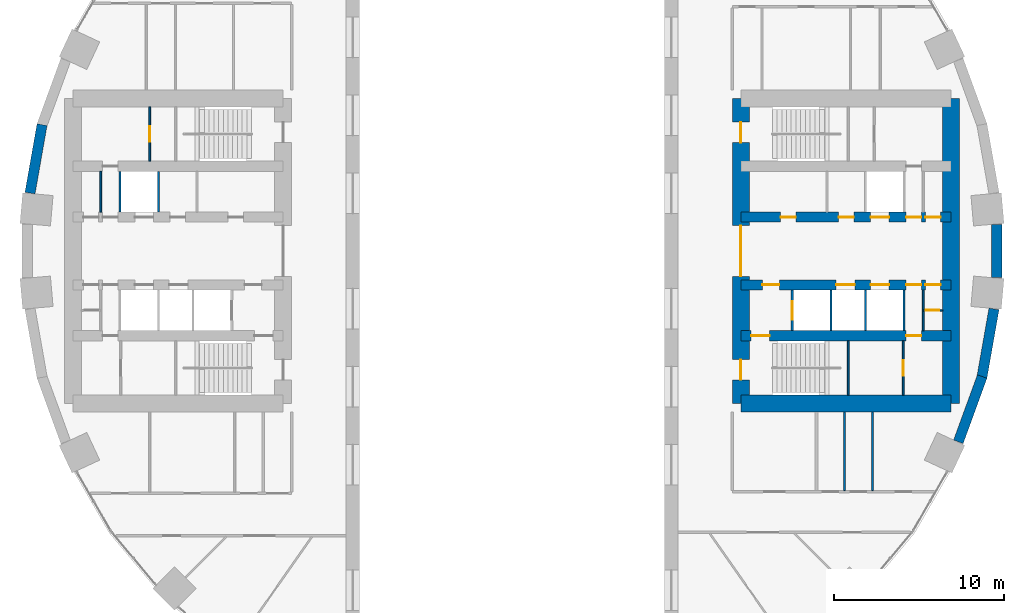
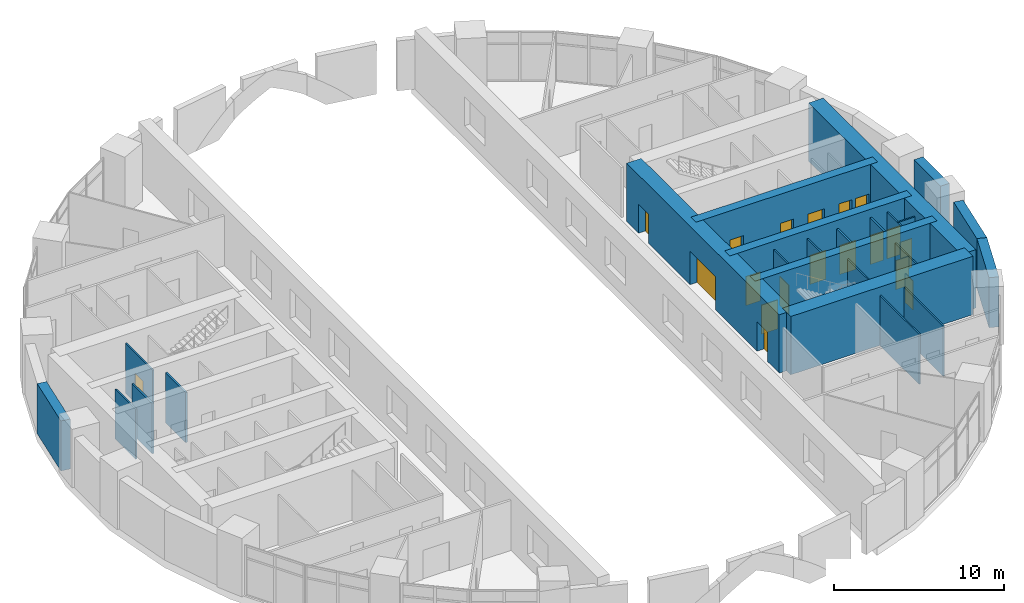
# One storey, part 12 of 15: 24 walls, 19 doors, 19 openings.
"""IFC4 building model written with IfcOpenShell, lengths in metres."""

from ifc_helpers import new_model, si_unit, direction, frame, frame_2d, origin, place, context, subcontext, project, spatial, rectangle, extrude, material, layer, layer_set, type_object, element, fill, save


model = new_model("IFC4")

# Units and contexts
model_context = context("Model", 3, precision=1e-05, world=origin(), true_north=direction((0.0, 1.0)))
body_context = subcontext(model_context, "Body", "Model", "MODEL_VIEW")
ifc_project = project(units=[si_unit("LENGTHUNIT", "METRE"), si_unit("AREAUNIT", "SQUARE_METRE"), si_unit("VOLUMEUNIT", "CUBIC_METRE"), si_unit("PLANEANGLEUNIT", "RADIAN"), si_unit("MASSUNIT", "GRAM", prefix="KILO")], contexts=[model_context])

# Site, building, storey
site_placement = place(None, origin())
site = spatial("IfcSite", under=ifc_project, at=site_placement, CompositionType="ELEMENT")
building_placement = place(site_placement, origin())
building = spatial("IfcBuilding", under=site, at=building_placement, Name="Saqina Gate Tower", CompositionType="ELEMENT")
storey_placement = place(building_placement, frame((0.0, 0.0, 17.60009765625)))
storey = spatial("IfcBuildingStorey", under=building, at=storey_placement, Name="L04", CompositionType="ELEMENT", Elevation=17.60009765625)

# Wall
ifc_material_1 = material(Name="Gypsum board on steel studs", Category="steel")
ifc_layer_1 = layer(ifc_material_1, 0.10009765625)
ifc_layer_set_1 = layer_set([ifc_layer_1], Name="CORE PARTITION")
wall_type_1 = type_object("IfcWallType", Name="CORE PARTITION", PredefinedType="PARTITIONING", material=ifc_layer_set_1)
wall_1_placement = place(storey_placement, frame((24.260009765625, -4.699951171875, 0.0), z_axis=(0.0, 0.0, 1.0), x_axis=(0.0, 1.0, 0.0)))
element("IfcWall", 1, at=wall_1_placement, inside=storey, type_object=wall_type_1, Name="L04-CP-E09", PredefinedType="PARTITIONING", context=body_context, shape_type="SweptSolid", body=[
    extrude(rectangle(XDim=2.39990234375, YDim=0.10009765625, at=frame_2d((1.199951171875, 0.0))), origin(), (0.0, 0.0, 1.0), 3.599853515625),
])

# Wall, opening, door
wall_2_placement = place(storey_placement, frame((24.260009765625, -3.5, 0.0), z_axis=(0.0, 0.0, 1.0), x_axis=(1.0, 0.0, 0.0)))
wall_2 = element("IfcWall", 2, at=wall_2_placement, inside=storey, type_object=wall_type_1, Name="L04-CP-E10", PredefinedType="PARTITIONING", context=body_context, shape_type="SweptSolid", body=[
    extrude(rectangle(XDim=1.139892578125, YDim=0.10009765625, at=frame_2d((0.56982421875, 0.0))), origin(), (0.0, 0.0, 1.0), 3.599853515625),
])
opening_1_placement = place(wall_2_placement, frame((0.14990234375, 0.0, 0.0)))
opening_1 = element("IfcOpeningElement", 3, at=opening_1_placement, cuts=wall_2, Name="Opening L04-D99", PredefinedType="OPENING", context=body_context, shape_type="SweptSolid", body=[
    extrude(rectangle(XDim=0.800048828125, YDim=2.10009765625, at=frame_2d((0.39990234375, 1.050048828125))), frame((0.0, 0.06201171875, 0.0), z_axis=(0.0, -1.0, 0.0), x_axis=(1.0, 0.0, 0.0)), (0.0, 0.0, 1.0), 0.1240234375),
])
ifc_material_2 = material(Name="Steel-framed fire door leaf, EI 60", Category="steel")
door_type_1 = type_object("IfcDoorType", Name="SERVICE ROOM DOOR 800", OperationType="SINGLE_SWING_LEFT", PredefinedType="DOOR", material=ifc_material_2)
door_1_placement = place(opening_1_placement, frame((0.800048828125, 0.0, 0.0), z_axis=(0.0, 0.0, 1.0), x_axis=(-1.0, 0.0, 0.0)))
door_1 = element("IfcDoor", 4, at=door_1_placement, inside=storey, type_object=door_type_1, Name="L04-CD-E10", OperationType="SINGLE_SWING_LEFT", OverallHeight=2.10009765625, OverallWidth=0.800048828125, PredefinedType="DOOR", context=body_context, shape_type="SweptSolid", body=[
    extrude(rectangle(XDim=0.800048828125, YDim=2.10009765625, at=frame_2d((0.39990234375, 1.050048828125))), frame((0.0, 0.02490234375, 0.0), z_axis=(0.0, -1.0, 0.0), x_axis=(1.0, 0.0, 0.0)), (0.0, 0.0, 1.0), 0.050048828125),
])
fill(opening_1, door_1)

wall_3_placement = place(storey_placement, frame((23.08154296875, -8.5, 0.0), z_axis=(0.0, 0.0, 1.0), x_axis=(0.0, 1.0, 0.0)))
wall_3 = element("IfcWall", 5, at=wall_3_placement, inside=storey, type_object=wall_type_1, Name="L04-CP-E14", PredefinedType="PARTITIONING", context=body_context, shape_type="SweptSolid", body=[
    extrude(rectangle(XDim=3.199951171875, YDim=0.10009765625, at=frame_2d((1.60009765625, 0.0))), origin(), (0.0, 0.0, 1.0), 3.599853515625),
])
opening_2_placement = place(wall_3_placement, frame((1.14990234375, 0.0, 0.0)))
opening_2 = element("IfcOpeningElement", 6, at=opening_2_placement, cuts=wall_3, Name="Opening L04-D100", PredefinedType="OPENING", context=body_context, shape_type="SweptSolid", body=[
    extrude(rectangle(XDim=0.89990234375, YDim=2.10009765625, at=frame_2d((0.449951171875, 1.050048828125))), frame((0.0, 0.06201171875, 0.0), z_axis=(0.0, -1.0, 0.0), x_axis=(1.0, 0.0, 0.0)), (0.0, 0.0, 1.0), 0.1240234375),
])
ifc_material_3 = material(Name="Steel-framed fire door leaf, EI 60", Category="steel")
door_type_2 = type_object("IfcDoorType", Name="SERVICE ROOM DOOR 900", OperationType="SINGLE_SWING_LEFT", PredefinedType="DOOR", material=ifc_material_3)
door_2_placement = place(opening_2_placement, origin())
door_2 = element("IfcDoor", 7, at=door_2_placement, inside=storey, type_object=door_type_2, Name="L04-CD-E11", OperationType="SINGLE_SWING_LEFT", OverallHeight=2.10009765625, OverallWidth=0.89990234375, PredefinedType="DOOR", context=body_context, shape_type="SweptSolid", body=[
    extrude(rectangle(XDim=0.89990234375, YDim=2.10009765625, at=frame_2d((0.449951171875, 1.050048828125))), frame((0.0, 0.02490234375, 0.0), z_axis=(0.0, -1.0, 0.0), x_axis=(1.0, 0.0, 0.0)), (0.0, 0.0, 1.0), 0.050048828125),
])
fill(opening_2, door_2)

# Wall
wall_4_placement = place(storey_placement, frame((-24.260009765625, 2.300048828125, 0.0), z_axis=(0.0, 0.0, 1.0), x_axis=(0.0, 1.0, 0.0)))
element("IfcWall", 8, at=wall_4_placement, inside=storey, type_object=wall_type_1, Name="L04-CP-W04", PredefinedType="PARTITIONING", context=body_context, shape_type="SweptSolid", body=[
    extrude(rectangle(XDim=2.39990234375, YDim=0.10009765625, at=frame_2d((1.199951171875, 0.0))), origin(), (0.0, 0.0, 1.0), 3.599853515625),
])

# Wall, opening, door
wall_5_placement = place(storey_placement, frame((-21.370361328125, 5.300048828125, 0.0), z_axis=(0.0, 0.0, 1.0), x_axis=(0.0, 1.0, 0.0)))
wall_5 = element("IfcWall", 9, at=wall_5_placement, inside=storey, type_object=wall_type_1, Name="L04-CP-W12", PredefinedType="PARTITIONING", context=body_context, shape_type="SweptSolid", body=[
    extrude(rectangle(XDim=3.199951171875, YDim=0.10009765625, at=frame_2d((1.60009765625, 0.0))), origin(), (0.0, 0.0, 1.0), 3.599853515625),
])
opening_3_placement = place(wall_5_placement, frame((1.14990234375, 0.0, 0.0)))
opening_3 = element("IfcOpeningElement", 10, at=opening_3_placement, cuts=wall_5, Name="Opening L04-D113", PredefinedType="OPENING", context=body_context, shape_type="SweptSolid", body=[
    extrude(rectangle(XDim=0.89990234375, YDim=2.10009765625, at=frame_2d((0.449951171875, 1.050048828125))), frame((0.0, 0.06201171875, 0.0), z_axis=(0.0, -1.0, 0.0), x_axis=(1.0, 0.0, 0.0)), (0.0, 0.0, 1.0), 0.1240234375),
])
door_3_placement = place(opening_3_placement, origin())
door_3 = element("IfcDoor", 11, at=door_3_placement, inside=storey, type_object=door_type_2, Name="L04-CD-W24", OperationType="SINGLE_SWING_LEFT", OverallHeight=2.10009765625, OverallWidth=0.89990234375, PredefinedType="DOOR", context=body_context, shape_type="SweptSolid", body=[
    extrude(rectangle(XDim=0.89990234375, YDim=2.10009765625, at=frame_2d((0.449951171875, 1.050048828125))), frame((0.0, 0.02490234375, 0.0), z_axis=(0.0, -1.0, 0.0), x_axis=(1.0, 0.0, 0.0)), (0.0, 0.0, 1.0), 0.050048828125),
])
fill(opening_3, door_3)

# Walls
ifc_material_4 = material(Name="Glazed ceramic tile", Category="ceramic")
ifc_layer_2 = layer(ifc_material_4, 0.60009765625)
ifc_layer_set_2 = layer_set([ifc_layer_2], Name="FW-TILE")
wall_type_2 = type_object("IfcWallType", Name="FW-TILE", PredefinedType="SOLIDWALL", material=ifc_layer_set_2)
for number, where, z_axis, x_axis, name in (
    (12, (-27.71630859375, 7.45361328125, 0.0), (0.0, 0.0, 1.0), (-0.173673210505, -0.984803338719, 0.0), "Facade wall L04 facet 17"),
    (13, (27.71630859375, -7.45361328125, 0.0), (0.0, 0.0, 1.0), (0.173673210505, 0.984803338719, 0.0), "Facade wall L04 facet 35"),
):
    element("IfcWall", number, at=place(storey_placement, frame(where, z_axis=z_axis, x_axis=x_axis)), inside=storey, type_object=wall_type_2, Name=name, PredefinedType="SOLIDWALL", context=body_context, shape_type="SweptSolid", body=[
        extrude(rectangle(XDim=4.09912109375, YDim=0.60009765625, at=frame_2d((2.049560546875, 0.0))), origin(), (0.0, 0.0, 1.0), 3.599853515625),
    ])
ifc_material_5 = material(Name="Glazed ceramic tile (dark blue)", Category="ceramic")
ifc_layer_3 = layer(ifc_material_5, 0.60009765625)
ifc_layer_set_3 = layer_set([ifc_layer_3], Name="FW-TILE-CB")
wall_type_3 = type_object("IfcWallType", Name="FW-TILE-CB", PredefinedType="SOLIDWALL", material=ifc_layer_set_3)
wall_6_placement = place(storey_placement, frame((26.327880859375, -11.255126953125, 0.0), z_axis=(0.0, 0.0, 1.0), x_axis=(0.342034744565, 0.939687306241, 0.0)))
element("IfcWall", 14, at=wall_6_placement, inside=storey, type_object=wall_type_3, Name="Facade wall L04 facet 34", PredefinedType="SOLIDWALL", context=body_context, shape_type="SweptSolid", body=[
    extrude(rectangle(XDim=4.099365234375, YDim=0.60009765625, at=frame_2d((2.0498046875, 0.0))), origin(), (0.0, 0.0, 1.0), 3.599853515625),
])
ifc_material_6 = material(Name="Glazed ceramic tile (white)", Category="ceramic")
ifc_layer_4 = layer(ifc_material_6, 0.60009765625)
ifc_layer_set_4 = layer_set([ifc_layer_4], Name="FW-TILE-WH")
wall_type_4 = type_object("IfcWallType", Name="FW-TILE-WH", PredefinedType="SOLIDWALL", material=ifc_layer_set_4)
wall_7_placement = place(storey_placement, frame((28.589599609375, -1.571533203125, 0.0), z_axis=(0.0, 0.0, 1.0), x_axis=(0.0, 1.0, 0.0)))
element("IfcWall", 15, at=wall_7_placement, inside=storey, type_object=wall_type_4, Name="Facade wall L04 facet 36", PredefinedType="SOLIDWALL", context=body_context, shape_type="SweptSolid", body=[
    extrude(rectangle(XDim=3.14306640625, YDim=0.60009765625, at=frame_2d((1.571533203125, 0.0))), origin(), (0.0, 0.0, 1.0), 3.599853515625),
])

# Wall, opening, door
ifc_material_7 = material(Name="Autoclaved aerated concrete block", Category="concrete")
ifc_layer_5 = layer(ifc_material_7, 0.1201171875)
ifc_layer_set_5 = layer_set([ifc_layer_5], Name="SHAFT PARTITION")
wall_type_5 = type_object("IfcWallType", Name="SHAFT PARTITION", PredefinedType="PARTITIONING", material=ifc_layer_set_5)
wall_8_placement = place(storey_placement, frame((16.530029296875, -4.699951171875, 0.0), z_axis=(0.0, 0.0, 1.0), x_axis=(0.0, 1.0, 0.0)))
wall_8 = element("IfcWall", 16, at=wall_8_placement, inside=storey, type_object=wall_type_5, Name="L04-CP-E05", PredefinedType="PARTITIONING", context=body_context, shape_type="SweptSolid", body=[
    extrude(rectangle(XDim=2.39990234375, YDim=0.1201171875, at=frame_2d((1.199951171875, 0.0))), origin(), (0.0, 0.0, 1.0), 3.599853515625),
])
opening_4_placement = place(wall_8_placement, frame((0.64990234375, 0.0, 0.0)))
opening_4 = element("IfcOpeningElement", 17, at=opening_4_placement, cuts=wall_8, Name="Opening L04-LD2", PredefinedType="OPENING", context=body_context, shape_type="SweptSolid", body=[
    extrude(rectangle(XDim=1.10009765625, YDim=2.10009765625, at=frame_2d((0.550048828125, 1.050048828125))), frame((0.0, 0.072021484375, 0.0), z_axis=(0.0, -1.0, 0.0), x_axis=(1.0, 0.0, 0.0)), (0.0, 0.0, 1.0), 0.14404296875),
])
ifc_material_8 = material(Name="Stainless steel", Category="steel")
door_type_3 = type_object("IfcDoorType", Name="LANDING DOOR", OperationType="DOUBLE_DOOR_SLIDING", PredefinedType="DOOR", material=ifc_material_8)
door_4_placement = place(opening_4_placement, origin())
door_4 = element("IfcDoor", 18, at=door_4_placement, inside=storey, type_object=door_type_3, Name="LANDING DOOR FF1", OperationType="DOUBLE_DOOR_SLIDING", OverallHeight=2.10009765625, OverallWidth=1.10009765625, PredefinedType="DOOR", context=body_context, shape_type="SweptSolid", body=[
    extrude(rectangle(XDim=1.10009765625, YDim=2.10009765625, at=frame_2d((0.550048828125, 1.050048828125))), frame((0.0, 0.02490234375, 0.0), z_axis=(0.0, -1.0, 0.0), x_axis=(1.0, 0.0, 0.0)), (0.0, 0.0, 1.0), 0.050048828125),
])
fill(opening_4, door_4)

# Walls
for number, where, z_axis, x_axis, name in (
    (19, (18.81005859375, -4.699951171875, 0.0), (0.0, 0.0, 1.0), (0.0, 1.0, 0.0), "L04-CP-E06"),
    (20, (20.840087890625, -4.699951171875, 0.0), (0.0, 0.0, 1.0), (0.0, 1.0, 0.0), "L04-CP-E07"),
    (21, (23.1201171875, -4.699951171875, 0.0), (0.0, 0.0, 1.0), (0.0, 1.0, 0.0), "L04-CP-E08"),
    (22, (-20.840087890625, 2.300048828125, 0.0), (0.0, 0.0, 1.0), (0.0, 1.0, 0.0), "L04-CP-W02"),
    (23, (-23.1201171875, 2.300048828125, 0.0), (0.0, 0.0, 1.0), (0.0, 1.0, 0.0), "L04-CP-W03"),
):
    element("IfcWall", number, at=place(storey_placement, frame(where, z_axis=z_axis, x_axis=x_axis)), inside=storey, type_object=wall_type_5, Name=name, PredefinedType="PARTITIONING", context=body_context, shape_type="SweptSolid", body=[
        extrude(rectangle(XDim=2.39990234375, YDim=0.1201171875, at=frame_2d((1.199951171875, 0.0))), origin(), (0.0, 0.0, 1.0), 3.599853515625),
    ])
ifc_material_9 = material(Name="Gypsum board on steel studs, 100 mm", Category="steel")
ifc_layer_6 = layer(ifc_material_9, 0.10009765625)
ifc_layer_set_6 = layer_set([ifc_layer_6], Name="SPECIAL PARTITION 100")
wall_type_6 = type_object("IfcWallType", Name="SPECIAL PARTITION 100", PredefinedType="PARTITIONING", material=ifc_layer_set_6)
for number, where, z_axis, x_axis, name in (
    (24, (21.263916015625, -14.125, 0.0), (0.0, 0.0, 1.0), (0.0, 1.0, 0.0), "PARTITION 018"),
    (25, (19.611083984375, -14.125, 0.0), (0.0, 0.0, 1.0), (0.0, 1.0, 0.0), "PARTITION 020"),
):
    element("IfcWall", number, at=place(storey_placement, frame(where, z_axis=z_axis, x_axis=x_axis)), inside=storey, type_object=wall_type_6, Name=name, PredefinedType="PARTITIONING", context=body_context, shape_type="SweptSolid", body=[
        extrude(rectangle(XDim=4.625, YDim=0.10009765625, at=frame_2d((2.3125, 0.0))), origin(), (0.0, 0.0, 1.0), 3.599853515625),
    ])
ifc_material_10 = material(Name="Autoclaved aerated concrete block", Category="concrete")
ifc_layer_7 = layer(ifc_material_10, 0.10009765625)
ifc_layer_set_7 = layer_set([ifc_layer_7], Name="STAIR ENCLOSURE WALL")
wall_type_7 = type_object("IfcWallType", Name="STAIR ENCLOSURE WALL", PredefinedType="PARTITIONING", material=ifc_layer_set_7)
wall_9_placement = place(storey_placement, frame((19.830078125, -8.5, 0.0), z_axis=(0.0, 0.0, 1.0), x_axis=(0.0, 1.0, 0.0)))
element("IfcWall", 26, at=wall_9_placement, inside=storey, type_object=wall_type_7, Name="L04-CP-E13", PredefinedType="PARTITIONING", context=body_context, shape_type="SweptSolid", body=[
    extrude(rectangle(XDim=3.199951171875, YDim=0.10009765625, at=frame_2d((1.60009765625, 0.0))), origin(), (0.0, 0.0, 1.0), 3.599853515625),
])

# Wall, openings, doors
ifc_material_11 = material(Name="Concrete C70/85", Category="concrete")
ifc_layer_8 = layer(ifc_material_11, 0.60009765625)
ifc_layer_set_8 = layer_set([ifc_layer_8], Name="Concrete C70/85")
wall_type_8 = type_object("IfcWallType", Name="STR-CORE WALL-P-I", PredefinedType="SHEAR", material=ifc_layer_set_8)
wall_10_placement = place(storey_placement, frame((13.5, -5.0, 0.0), z_axis=(0.0, 0.0, 1.0), x_axis=(1.0, 0.0, 0.0)))
wall_10 = element("IfcWall", 27, at=wall_10_placement, inside=storey, type_object=wall_type_8, Name="CORE WALL L04 E-X2", PredefinedType="SHEAR", context=body_context, shape_type="SweptSolid", body=[
    extrude(rectangle(XDim=12.39990234375, YDim=0.60009765625, at=frame_2d((6.199951171875, 0.0))), origin(), (0.0, 0.0, 1.0), 4.199951171875),
])
opening_5_placement = place(wall_10_placement, frame((9.739990234375, 0.0, 0.0)))
opening_5 = element("IfcOpeningElement", 28, at=opening_5_placement, cuts=wall_10, Name="Opening L04-D101", PredefinedType="OPENING", context=body_context, shape_type="SweptSolid", body=[
    extrude(rectangle(XDim=0.89990234375, YDim=2.10009765625, at=frame_2d((0.449951171875, 1.050048828125))), frame((0.0, 0.31201171875, 0.0), z_axis=(0.0, -1.0, 0.0), x_axis=(1.0, 0.0, 0.0)), (0.0, 0.0, 1.0), 0.6240234375),
])
opening_6_placement = place(wall_10_placement, frame((0.60009765625, 0.0, 0.0)))
opening_6 = element("IfcOpeningElement", 29, at=opening_6_placement, cuts=wall_10, Name="Opening L04-D102", PredefinedType="OPENING", context=body_context, shape_type="SweptSolid", body=[
    extrude(rectangle(XDim=1.10009765625, YDim=2.10009765625, at=frame_2d((0.550048828125, 1.050048828125))), frame((0.0, 0.31201171875, 0.0), z_axis=(0.0, -1.0, 0.0), x_axis=(1.0, 0.0, 0.0)), (0.0, 0.0, 1.0), 0.6240234375),
])
ifc_material_12 = material(Name="Steel", Category="steel")
door_type_4 = type_object("IfcDoorType", Name="FIRE LOBBY DOOR EI 60 WIDE", OperationType="SINGLE_SWING_LEFT", PredefinedType="DOOR", material=ifc_material_12)
door_5_placement = place(opening_6_placement, frame((1.10009765625, 0.0, 0.0), z_axis=(0.0, 0.0, 1.0), x_axis=(-1.0, 0.0, 0.0)))
door_5 = element("IfcDoor", 30, at=door_5_placement, inside=storey, type_object=door_type_4, Name="L04-CD-E13", OperationType="SINGLE_SWING_RIGHT", OverallHeight=2.10009765625, OverallWidth=1.10009765625, PredefinedType="DOOR", context=body_context, shape_type="SweptSolid", body=[
    extrude(rectangle(XDim=1.10009765625, YDim=2.10009765625, at=frame_2d((0.550048828125, 1.050048828125))), frame((0.0, 0.02490234375, 0.0), z_axis=(0.0, -1.0, 0.0), x_axis=(1.0, 0.0, 0.0)), (0.0, 0.0, 1.0), 0.050048828125),
])
fill(opening_6, door_5)
door_6_placement = place(opening_5_placement, frame((0.89990234375, 0.0, 0.0), z_axis=(0.0, 0.0, 1.0), x_axis=(-1.0, 0.0, 0.0)))
door_6 = element("IfcDoor", 31, at=door_6_placement, inside=storey, type_object=door_type_2, Name="L04-CD-E12", OperationType="SINGLE_SWING_RIGHT", OverallHeight=2.10009765625, OverallWidth=0.89990234375, PredefinedType="DOOR", context=body_context, shape_type="SweptSolid", body=[
    extrude(rectangle(XDim=0.89990234375, YDim=2.10009765625, at=frame_2d((0.449951171875, 1.050048828125))), frame((0.0, 0.02490234375, 0.0), z_axis=(0.0, -1.0, 0.0), x_axis=(1.0, 0.0, 0.0)), (0.0, 0.0, 1.0), 0.050048828125),
])
fill(opening_5, door_6)

wall_11_placement = place(storey_placement, frame((13.5, 2.0, 0.0), z_axis=(0.0, 0.0, 1.0), x_axis=(1.0, 0.0, 0.0)))
wall_11 = element("IfcWall", 32, at=wall_11_placement, inside=storey, type_object=wall_type_8, Name="CORE WALL L04 E-L1", PredefinedType="SHEAR", context=body_context, shape_type="SweptSolid", body=[
    extrude(rectangle(XDim=12.39990234375, YDim=0.60009765625, at=frame_2d((6.199951171875, 0.0))), origin(), (0.0, 0.0, 1.0), 4.199951171875),
])
opening_7_placement = place(wall_11_placement, frame((7.64990234375, 0.0, 0.0)))
opening_7 = element("IfcOpeningElement", 33, at=opening_7_placement, cuts=wall_11, Name="Opening L04-LD1", PredefinedType="OPENING", context=body_context, shape_type="SweptSolid", body=[
    extrude(rectangle(XDim=1.10009765625, YDim=2.10009765625, at=frame_2d((0.550048828125, 1.050048828125))), frame((0.0, 0.31201171875, 0.0), z_axis=(0.0, -1.0, 0.0), x_axis=(1.0, 0.0, 0.0)), (0.0, 0.0, 1.0), 0.6240234375),
])
opening_8_placement = place(wall_11_placement, frame((2.34130859375, 0.0, 0.0)))
opening_8 = element("IfcOpeningElement", 34, at=opening_8_placement, cuts=wall_11, Name="Opening L04-D90", PredefinedType="OPENING", context=body_context, shape_type="SweptSolid", body=[
    extrude(rectangle(XDim=0.89990234375, YDim=2.10009765625, at=frame_2d((0.449951171875, 1.050048828125))), frame((0.0, 0.31201171875, 0.0), z_axis=(0.0, -1.0, 0.0), x_axis=(1.0, 0.0, 0.0)), (0.0, 0.0, 1.0), 0.6240234375),
])
opening_9_placement = place(wall_11_placement, frame((5.761474609375, 0.0, 0.0)))
opening_9 = element("IfcOpeningElement", 35, at=opening_9_placement, cuts=wall_11, Name="Opening L04-D91", PredefinedType="OPENING", context=body_context, shape_type="SweptSolid", body=[
    extrude(rectangle(XDim=0.89990234375, YDim=2.10009765625, at=frame_2d((0.449951171875, 1.050048828125))), frame((0.0, 0.31201171875, 0.0), z_axis=(0.0, -1.0, 0.0), x_axis=(1.0, 0.0, 0.0)), (0.0, 0.0, 1.0), 0.6240234375),
])
opening_10_placement = place(wall_11_placement, frame((9.739990234375, 0.0, 0.0)))
opening_10 = element("IfcOpeningElement", 36, at=opening_10_placement, cuts=wall_11, Name="Opening L04-D92", PredefinedType="OPENING", context=body_context, shape_type="SweptSolid", body=[
    extrude(rectangle(XDim=0.89990234375, YDim=2.10009765625, at=frame_2d((0.449951171875, 1.050048828125))), frame((0.0, 0.31201171875, 0.0), z_axis=(0.0, -1.0, 0.0), x_axis=(1.0, 0.0, 0.0)), (0.0, 0.0, 1.0), 0.6240234375),
])
opening_11_placement = place(wall_11_placement, frame((10.8798828125, 0.0, 0.0)))
opening_11 = element("IfcOpeningElement", 37, at=opening_11_placement, cuts=wall_11, Name="Opening L04-D93", PredefinedType="OPENING", context=body_context, shape_type="SweptSolid", body=[
    extrude(rectangle(XDim=0.89990234375, YDim=2.10009765625, at=frame_2d((0.449951171875, 1.050048828125))), frame((0.0, 0.31201171875, 0.0), z_axis=(0.0, -1.0, 0.0), x_axis=(1.0, 0.0, 0.0)), (0.0, 0.0, 1.0), 0.6240234375),
])
door_7_placement = place(opening_7_placement, origin())
door_7 = element("IfcDoor", 38, at=door_7_placement, inside=storey, type_object=door_type_3, Name="LANDING DOOR LR1", OperationType="DOUBLE_DOOR_SLIDING", OverallHeight=2.10009765625, OverallWidth=1.10009765625, PredefinedType="DOOR", context=body_context, shape_type="SweptSolid", body=[
    extrude(rectangle(XDim=1.10009765625, YDim=2.10009765625, at=frame_2d((0.550048828125, 1.050048828125))), frame((0.0, 0.02490234375, 0.0), z_axis=(0.0, -1.0, 0.0), x_axis=(1.0, 0.0, 0.0)), (0.0, 0.0, 1.0), 0.050048828125),
])
fill(opening_7, door_7)
door_8_placement = place(opening_8_placement, origin())
door_8 = element("IfcDoor", 39, at=door_8_placement, inside=storey, type_object=door_type_2, Name="L04-CD-E01", OperationType="SINGLE_SWING_LEFT", OverallHeight=2.10009765625, OverallWidth=0.89990234375, PredefinedType="DOOR", context=body_context, shape_type="SweptSolid", body=[
    extrude(rectangle(XDim=0.89990234375, YDim=2.10009765625, at=frame_2d((0.449951171875, 1.050048828125))), frame((0.0, 0.02490234375, 0.0), z_axis=(0.0, -1.0, 0.0), x_axis=(1.0, 0.0, 0.0)), (0.0, 0.0, 1.0), 0.050048828125),
])
fill(opening_8, door_8)
door_9_placement = place(opening_9_placement, origin())
door_9 = element("IfcDoor", 40, at=door_9_placement, inside=storey, type_object=door_type_2, Name="L04-CD-E02", OperationType="SINGLE_SWING_RIGHT", OverallHeight=2.10009765625, OverallWidth=0.89990234375, PredefinedType="DOOR", context=body_context, shape_type="SweptSolid", body=[
    extrude(rectangle(XDim=0.89990234375, YDim=2.10009765625, at=frame_2d((0.449951171875, 1.050048828125))), frame((0.0, 0.02490234375, 0.0), z_axis=(0.0, -1.0, 0.0), x_axis=(1.0, 0.0, 0.0)), (0.0, 0.0, 1.0), 0.050048828125),
])
fill(opening_9, door_9)
door_10_placement = place(opening_10_placement, origin())
door_10 = element("IfcDoor", 41, at=door_10_placement, inside=storey, type_object=door_type_2, Name="L04-CD-E03", OperationType="SINGLE_SWING_LEFT", OverallHeight=2.10009765625, OverallWidth=0.89990234375, PredefinedType="DOOR", context=body_context, shape_type="SweptSolid", body=[
    extrude(rectangle(XDim=0.89990234375, YDim=2.10009765625, at=frame_2d((0.449951171875, 1.050048828125))), frame((0.0, 0.02490234375, 0.0), z_axis=(0.0, -1.0, 0.0), x_axis=(1.0, 0.0, 0.0)), (0.0, 0.0, 1.0), 0.050048828125),
])
fill(opening_10, door_10)
door_11_placement = place(opening_11_placement, origin())
door_11 = element("IfcDoor", 42, at=door_11_placement, inside=storey, type_object=door_type_2, Name="L04-CD-E04", OperationType="SINGLE_SWING_RIGHT", OverallHeight=2.10009765625, OverallWidth=0.89990234375, PredefinedType="DOOR", context=body_context, shape_type="SweptSolid", body=[
    extrude(rectangle(XDim=0.89990234375, YDim=2.10009765625, at=frame_2d((0.449951171875, 1.050048828125))), frame((0.0, 0.02490234375, 0.0), z_axis=(0.0, -1.0, 0.0), x_axis=(1.0, 0.0, 0.0)), (0.0, 0.0, 1.0), 0.050048828125),
])
fill(opening_11, door_11)

wall_12_placement = place(storey_placement, frame((13.5, -2.0, 0.0), z_axis=(0.0, 0.0, 1.0), x_axis=(1.0, 0.0, 0.0)))
wall_12 = element("IfcWall", 43, at=wall_12_placement, inside=storey, type_object=wall_type_8, Name="CORE WALL L04 E-L2", PredefinedType="SHEAR", context=body_context, shape_type="SweptSolid", body=[
    extrude(rectangle(XDim=12.39990234375, YDim=0.60009765625, at=frame_2d((6.199951171875, 0.0))), origin(), (0.0, 0.0, 1.0), 4.199951171875),
])
opening_12_placement = place(wall_12_placement, frame((5.6201171875, 0.0, 0.0)))
opening_12 = element("IfcOpeningElement", 44, at=opening_12_placement, cuts=wall_12, Name="Opening L04-LD3", PredefinedType="OPENING", context=body_context, shape_type="SweptSolid", body=[
    extrude(rectangle(XDim=1.10009765625, YDim=2.10009765625, at=frame_2d((0.550048828125, 1.050048828125))), frame((0.0, 0.31201171875, 0.0), z_axis=(0.0, -1.0, 0.0), x_axis=(1.0, 0.0, 0.0)), (0.0, 0.0, 1.0), 0.6240234375),
])
opening_13_placement = place(wall_12_placement, frame((7.64990234375, 0.0, 0.0)))
opening_13 = element("IfcOpeningElement", 45, at=opening_13_placement, cuts=wall_12, Name="Opening L04-LD4", PredefinedType="OPENING", context=body_context, shape_type="SweptSolid", body=[
    extrude(rectangle(XDim=1.10009765625, YDim=2.10009765625, at=frame_2d((0.550048828125, 1.050048828125))), frame((0.0, 0.31201171875, 0.0), z_axis=(0.0, -1.0, 0.0), x_axis=(1.0, 0.0, 0.0)), (0.0, 0.0, 1.0), 0.6240234375),
])
opening_14_placement = place(wall_12_placement, frame((1.264892578125, 0.0, 0.0)))
opening_14 = element("IfcOpeningElement", 46, at=opening_14_placement, cuts=wall_12, Name="Opening L04-D94", PredefinedType="OPENING", context=body_context, shape_type="SweptSolid", body=[
    extrude(rectangle(XDim=1.0, YDim=2.10009765625, at=frame_2d((0.5, 1.050048828125))), frame((0.0, 0.31201171875, 0.0), z_axis=(0.0, -1.0, 0.0), x_axis=(1.0, 0.0, 0.0)), (0.0, 0.0, 1.0), 0.6240234375),
])
opening_15_placement = place(wall_12_placement, frame((9.739990234375, 0.0, 0.0)))
opening_15 = element("IfcOpeningElement", 47, at=opening_15_placement, cuts=wall_12, Name="Opening L04-D95", PredefinedType="OPENING", context=body_context, shape_type="SweptSolid", body=[
    extrude(rectangle(XDim=0.89990234375, YDim=2.10009765625, at=frame_2d((0.449951171875, 1.050048828125))), frame((0.0, 0.31201171875, 0.0), z_axis=(0.0, -1.0, 0.0), x_axis=(1.0, 0.0, 0.0)), (0.0, 0.0, 1.0), 0.6240234375),
])
opening_16_placement = place(wall_12_placement, frame((10.8798828125, 0.0, 0.0)))
opening_16 = element("IfcOpeningElement", 48, at=opening_16_placement, cuts=wall_12, Name="Opening L04-D96", PredefinedType="OPENING", context=body_context, shape_type="SweptSolid", body=[
    extrude(rectangle(XDim=0.89990234375, YDim=2.10009765625, at=frame_2d((0.449951171875, 1.050048828125))), frame((0.0, 0.31201171875, 0.0), z_axis=(0.0, -1.0, 0.0), x_axis=(1.0, 0.0, 0.0)), (0.0, 0.0, 1.0), 0.6240234375),
])
ifc_material_13 = material(Name="Steel", Category="steel")
door_type_5 = type_object("IfcDoorType", Name="FIRE LOBBY DOOR EI 60", OperationType="SINGLE_SWING_LEFT", PredefinedType="DOOR", material=ifc_material_13)
door_12_placement = place(opening_14_placement, origin())
door_12 = element("IfcDoor", 49, at=door_12_placement, inside=storey, type_object=door_type_5, Name="L04-CD-E05", OperationType="SINGLE_SWING_LEFT", OverallHeight=2.10009765625, OverallWidth=1.0, PredefinedType="DOOR", context=body_context, shape_type="SweptSolid", body=[
    extrude(rectangle(XDim=1.0, YDim=2.10009765625, at=frame_2d((0.5, 1.050048828125))), frame((0.0, 0.02490234375, 0.0), z_axis=(0.0, -1.0, 0.0), x_axis=(1.0, 0.0, 0.0)), (0.0, 0.0, 1.0), 0.050048828125),
])
fill(opening_14, door_12)
door_13_placement = place(opening_12_placement, origin())
door_13 = element("IfcDoor", 50, at=door_13_placement, inside=storey, type_object=door_type_3, Name="LANDING DOOR LR3", OperationType="DOUBLE_DOOR_SLIDING", OverallHeight=2.10009765625, OverallWidth=1.10009765625, PredefinedType="DOOR", context=body_context, shape_type="SweptSolid", body=[
    extrude(rectangle(XDim=1.10009765625, YDim=2.10009765625, at=frame_2d((0.550048828125, 1.050048828125))), frame((0.0, 0.02490234375, 0.0), z_axis=(0.0, -1.0, 0.0), x_axis=(1.0, 0.0, 0.0)), (0.0, 0.0, 1.0), 0.050048828125),
])
fill(opening_12, door_13)
door_14_placement = place(opening_13_placement, origin())
door_14 = element("IfcDoor", 51, at=door_14_placement, inside=storey, type_object=door_type_3, Name="LANDING DOOR LR2", OperationType="DOUBLE_DOOR_SLIDING", OverallHeight=2.10009765625, OverallWidth=1.10009765625, PredefinedType="DOOR", context=body_context, shape_type="SweptSolid", body=[
    extrude(rectangle(XDim=1.10009765625, YDim=2.10009765625, at=frame_2d((0.550048828125, 1.050048828125))), frame((0.0, 0.02490234375, 0.0), z_axis=(0.0, -1.0, 0.0), x_axis=(1.0, 0.0, 0.0)), (0.0, 0.0, 1.0), 0.050048828125),
])
fill(opening_13, door_14)
door_15_placement = place(opening_15_placement, frame((0.89990234375, 0.0, 0.0), z_axis=(0.0, 0.0, 1.0), x_axis=(-1.0, 0.0, 0.0)))
door_15 = element("IfcDoor", 52, at=door_15_placement, inside=storey, type_object=door_type_2, Name="L04-CD-E06", OperationType="SINGLE_SWING_RIGHT", OverallHeight=2.10009765625, OverallWidth=0.89990234375, PredefinedType="DOOR", context=body_context, shape_type="SweptSolid", body=[
    extrude(rectangle(XDim=0.89990234375, YDim=2.10009765625, at=frame_2d((0.449951171875, 1.050048828125))), frame((0.0, 0.02490234375, 0.0), z_axis=(0.0, -1.0, 0.0), x_axis=(1.0, 0.0, 0.0)), (0.0, 0.0, 1.0), 0.050048828125),
])
fill(opening_15, door_15)
door_16_placement = place(opening_16_placement, frame((0.89990234375, 0.0, 0.0), z_axis=(0.0, 0.0, 1.0), x_axis=(-1.0, 0.0, 0.0)))
door_16 = element("IfcDoor", 53, at=door_16_placement, inside=storey, type_object=door_type_2, Name="L04-CD-E07", OperationType="SINGLE_SWING_LEFT", OverallHeight=2.10009765625, OverallWidth=0.89990234375, PredefinedType="DOOR", context=body_context, shape_type="SweptSolid", body=[
    extrude(rectangle(XDim=0.89990234375, YDim=2.10009765625, at=frame_2d((0.449951171875, 1.050048828125))), frame((0.0, 0.02490234375, 0.0), z_axis=(0.0, -1.0, 0.0), x_axis=(1.0, 0.0, 0.0)), (0.0, 0.0, 1.0), 0.050048828125),
])
fill(opening_16, door_16)

ifc_material_14 = material(Name="Concrete C70/85", Category="concrete")
ifc_layer_9 = layer(ifc_material_14, 1.0)
ifc_layer_set_9 = layer_set([ifc_layer_9], Name="Concrete C70/85")
wall_type_9 = type_object("IfcWallType", Name="STR-CORE WALL-P-O", PredefinedType="SHEAR", material=ifc_layer_set_9)
wall_13_placement = place(storey_placement, frame((13.5, -9.0, 0.0), z_axis=(0.0, 0.0, 1.0), x_axis=(0.0, 1.0, 0.0)))
wall_13 = element("IfcWall", 54, at=wall_13_placement, inside=storey, type_object=wall_type_9, Name="CORE WALL L04 E-W1", PredefinedType="SHEAR", context=body_context, shape_type="SweptSolid", body=[
    extrude(rectangle(XDim=18.0, YDim=1.0, at=frame_2d((9.0, 0.0))), origin(), (0.0, 0.0, 1.0), 4.199951171875),
])
opening_17_placement = place(wall_13_placement, frame((15.39990234375, 0.0, 0.0)))
opening_17 = element("IfcOpeningElement", 55, at=opening_17_placement, cuts=wall_13, Name="Opening L04-D103", PredefinedType="OPENING", context=body_context, shape_type="SweptSolid", body=[
    extrude(rectangle(XDim=1.199951171875, YDim=2.10009765625, at=frame_2d((0.60009765625, 1.050048828125))), frame((0.0, 0.511962890625, 0.0), z_axis=(0.0, -1.0, 0.0), x_axis=(1.0, 0.0, 0.0)), (0.0, 0.0, 1.0), 1.02392578125),
])
opening_18_placement = place(wall_13_placement, frame((1.39990234375, 0.0, 0.0)))
opening_18 = element("IfcOpeningElement", 56, at=opening_18_placement, cuts=wall_13, Name="Opening L04-D104", PredefinedType="OPENING", context=body_context, shape_type="SweptSolid", body=[
    extrude(rectangle(XDim=1.199951171875, YDim=2.10009765625, at=frame_2d((0.60009765625, 1.050048828125))), frame((0.0, 0.511962890625, 0.0), z_axis=(0.0, -1.0, 0.0), x_axis=(1.0, 0.0, 0.0)), (0.0, 0.0, 1.0), 1.02392578125),
])
opening_19_placement = place(wall_13_placement, frame((7.5, 0.0, 0.0)))
opening_19 = element("IfcOpeningElement", 57, at=opening_19_placement, cuts=wall_13, Name="Opening L04-D105", PredefinedType="OPENING", context=body_context, shape_type="SweptSolid", body=[
    extrude(rectangle(XDim=3.0, YDim=2.39990234375, at=frame_2d((1.5, 1.199951171875))), frame((0.0, 0.511962890625, 0.0), z_axis=(0.0, -1.0, 0.0), x_axis=(1.0, 0.0, 0.0)), (0.0, 0.0, 1.0), 1.02392578125),
])
ifc_material_15 = material(Name="Steel", Category="steel")
door_type_6 = type_object("IfcDoorType", Name="FIRE DOOR EI 60", OperationType="SINGLE_SWING_LEFT", PredefinedType="DOOR", material=ifc_material_15)
door_17_placement = place(opening_17_placement, frame((1.199951171875, 0.0, 0.0), z_axis=(0.0, 0.0, 1.0), x_axis=(-1.0, 0.0, 0.0)))
door_17 = element("IfcDoor", 58, at=door_17_placement, inside=storey, type_object=door_type_6, Name="L04-CD-E14", OperationType="SINGLE_SWING_LEFT", OverallHeight=2.10009765625, OverallWidth=1.199951171875, PredefinedType="DOOR", context=body_context, shape_type="SweptSolid", body=[
    extrude(rectangle(XDim=1.199951171875, YDim=2.10009765625, at=frame_2d((0.60009765625, 1.050048828125))), frame((0.0, 0.02490234375, 0.0), z_axis=(0.0, -1.0, 0.0), x_axis=(1.0, 0.0, 0.0)), (0.0, 0.0, 1.0), 0.050048828125),
])
fill(opening_17, door_17)
door_18_placement = place(opening_18_placement, frame((1.199951171875, 0.0, 0.0), z_axis=(0.0, 0.0, 1.0), x_axis=(-1.0, 0.0, 0.0)))
door_18 = element("IfcDoor", 59, at=door_18_placement, inside=storey, type_object=door_type_6, Name="L04-CD-E15", OperationType="SINGLE_SWING_RIGHT", OverallHeight=2.10009765625, OverallWidth=1.199951171875, PredefinedType="DOOR", context=body_context, shape_type="SweptSolid", body=[
    extrude(rectangle(XDim=1.199951171875, YDim=2.10009765625, at=frame_2d((0.60009765625, 1.050048828125))), frame((0.0, 0.02490234375, 0.0), z_axis=(0.0, -1.0, 0.0), x_axis=(1.0, 0.0, 0.0)), (0.0, 0.0, 1.0), 0.050048828125),
])
fill(opening_18, door_18)
ifc_material_16 = material(Name="Steel and fire-resisting glass", Category="steel")
door_type_7 = type_object("IfcDoorType", Name="LOBBY SCREEN DOOR", OperationType="DOUBLE_DOOR_SLIDING", PredefinedType="DOOR", material=ifc_material_16)
door_19_placement = place(opening_19_placement, origin())
door_19 = element("IfcDoor", 60, at=door_19_placement, inside=storey, type_object=door_type_7, Name="L04-CD-E16", OperationType="DOUBLE_DOOR_SLIDING", OverallHeight=2.39990234375, OverallWidth=3.0, PredefinedType="DOOR", context=body_context, shape_type="SweptSolid", body=[
    extrude(rectangle(XDim=3.0, YDim=2.39990234375, at=frame_2d((1.5, 1.199951171875))), frame((0.0, 0.02490234375, 0.0), z_axis=(0.0, -1.0, 0.0), x_axis=(1.0, 0.0, 0.0)), (0.0, 0.0, 1.0), 0.050048828125),
])
fill(opening_19, door_19)

# Walls
wall_14_placement = place(storey_placement, frame((25.89990234375, -9.0, 0.0), z_axis=(0.0, 0.0, 1.0), x_axis=(0.0, 1.0, 0.0)))
element("IfcWall", 61, at=wall_14_placement, inside=storey, type_object=wall_type_9, Name="CORE WALL L04 E-W2", PredefinedType="SHEAR", context=body_context, shape_type="SweptSolid", body=[
    extrude(rectangle(XDim=18.0, YDim=1.0, at=frame_2d((9.0, 0.0))), origin(), (0.0, 0.0, 1.0), 4.199951171875),
])
wall_15_placement = place(storey_placement, frame((13.5, -9.0, 0.0), z_axis=(0.0, 0.0, 1.0), x_axis=(1.0, 0.0, 0.0)))
element("IfcWall", 62, at=wall_15_placement, inside=storey, type_object=wall_type_9, Name="CORE WALL L04 E-SE", PredefinedType="SHEAR", context=body_context, shape_type="SweptSolid", body=[
    extrude(rectangle(XDim=12.39990234375, YDim=1.0, at=frame_2d((6.199951171875, 0.0))), origin(), (0.0, 0.0, 1.0), 4.199951171875),
])

save(model, "model.ifc")
